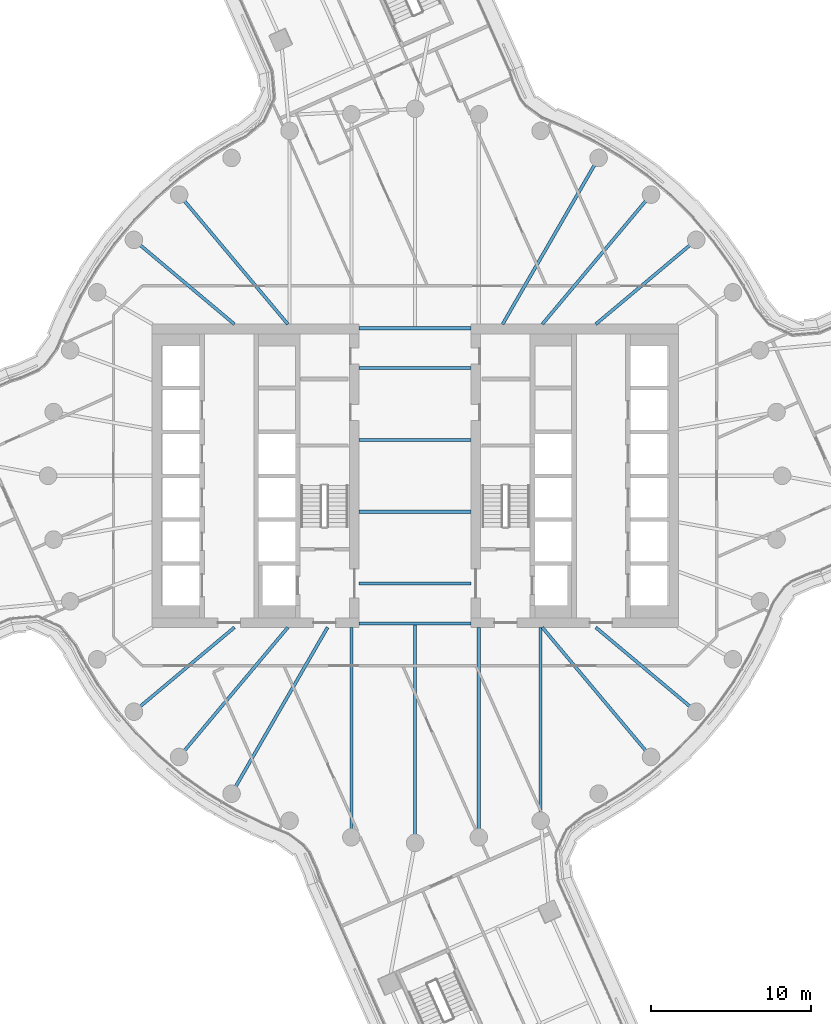
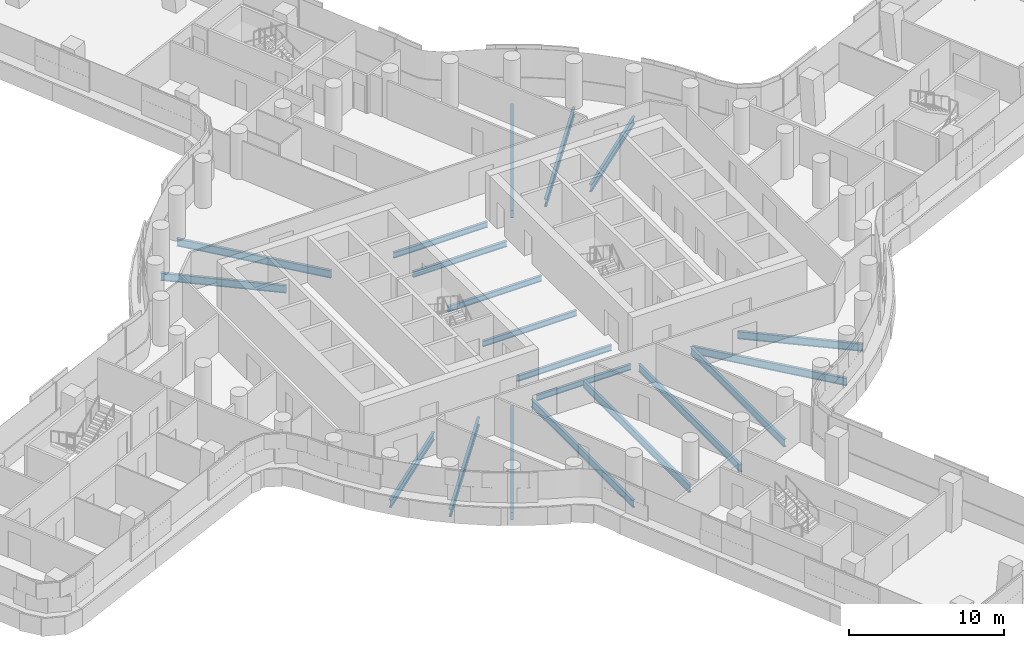
# One storey, part 8 of 35: 20 beams.
"""IFC4 building model written with IfcOpenShell, lengths in metres."""

from ifc_helpers import new_model, si_unit, direction, frame, origin, origin_2d, place, context, subcontext, project, spatial, i_section, extrude, material, material_profile, profile_set, type_object, element, save


model = new_model("IFC4")

# Units and contexts
model_context = context("Model", 3, precision=1e-05, world=origin(), true_north=direction((0.0, 1.0)))
body_context = subcontext(model_context, "Body", "Model", "MODEL_VIEW")
ifc_project = project(units=[si_unit("LENGTHUNIT", "METRE"), si_unit("AREAUNIT", "SQUARE_METRE"), si_unit("VOLUMEUNIT", "CUBIC_METRE"), si_unit("PLANEANGLEUNIT", "RADIAN"), si_unit("MASSUNIT", "GRAM", prefix="KILO")], contexts=[model_context])

# Site, building, storey
site_placement = place(None, origin())
site = spatial("IfcSite", under=ifc_project, at=site_placement, CompositionType="ELEMENT")
building_placement = place(site_placement, origin())
building = spatial("IfcBuilding", under=site, at=building_placement, Name="Tamarind Cross Interchange Tower", CompositionType="ELEMENT")
storey_placement = place(building_placement, frame((0.0, 0.0, 121.0)))
storey = spatial("IfcBuildingStorey", under=building, at=storey_placement, Name="L29", CompositionType="ELEMENT", Elevation=121.0)

# Beams
ifc_material = material(Name="Steel Q355B", Category="steel")
ifc_material_profile_1 = material_profile(ifc_material, i_section(OverallWidth=0.198974609375, OverallDepth=0.446044921875, WebThickness=0.008056640625, FlangeThickness=0.011962890625, FilletRadius=0.012939453125, at=origin_2d()), Name="HN 446x199x8x12")
ifc_profile_set_1 = profile_set([ifc_material_profile_1], Name="Steel Q355B")
beam_type_1 = type_object("IfcBeamType", Name="Composite beam HN 446x199x8x12 Q355B", PredefinedType="BEAM", material=ifc_profile_set_1)
for number, where, z_axis, x_axis, name in (
    (1, (-3.5, -2.25, -0.363037109375), (1.0, 0.0, 0.0), (0.0, 1.0, 0.0), "Beam G-2.25"),
    (2, (-3.5, -6.75, -0.363037109375), (1.0, 0.0, 0.0), (0.0, 1.0, 0.0), "Beam G-6.75"),
    (3, (-3.5, -9.25, -0.363037109375), (1.0, 0.0, 0.0), (0.0, 1.0, 0.0), "Beam G-9.25"),
    (4, (-3.5, 2.25, -0.363037109375), (1.0, 0.0, 0.0), (0.0, 1.0, 0.0), "Beam G2.25"),
    (5, (-3.5, 6.75, -0.363037109375), (1.0, 0.0, 0.0), (0.0, 1.0, 0.0), "Beam G6.75"),
    (6, (-3.5, 9.25, -0.363037109375), (1.0, 0.0, 0.0), (0.0, 1.0, 0.0), "Beam G9.25"),
):
    element("IfcBeam", number, at=place(storey_placement, frame(where, z_axis=z_axis, x_axis=x_axis)), inside=storey, type_object=beam_type_1, Name=name, PredefinedType="BEAM", context=body_context, shape_type="SweptSolid", body=[
        extrude(i_section(OverallWidth=0.198974609375, OverallDepth=0.446044921875, WebThickness=0.008056640625, FlangeThickness=0.011962890625, FilletRadius=0.012939453125, at=origin_2d()), origin(), (0.0, 0.0, 1.0), 7.0),
    ])
ifc_material_profile_2 = material_profile(ifc_material, i_section(OverallWidth=0.198974609375, OverallDepth=0.595947265625, WebThickness=0.010009765625, FlangeThickness=0.014892578125, FilletRadius=0.012939453125, at=origin_2d()), Name="HN 596x199x10x15")
ifc_profile_set_2 = profile_set([ifc_material_profile_2], Name="Steel Q355B")
beam_type_2 = type_object("IfcBeamType", Name="Composite beam HN 596x199x10x15 Q355B", PredefinedType="BEAM", material=ifc_profile_set_2)
beam_1_placement = place(storey_placement, frame((17.619140625, 14.7841796875, -0.43798828125), z_axis=(-0.766040580814, -0.642792212574, 0.0), x_axis=(0.642792212574, -0.766040580814, 0.0)))
element("IfcBeam", 7, at=beam_1_placement, inside=storey, type_object=beam_type_2, Name="Beam HH04", PredefinedType="BEAM", context=body_context, shape_type="SweptSolid", body=[
    extrude(i_section(OverallWidth=0.198974609375, OverallDepth=0.595947265625, WebThickness=0.010009765625, FlangeThickness=0.014892578125, FilletRadius=0.012939453125, at=origin_2d()), origin(), (0.0, 0.0, 1.0), 8.220703125),
])
beam_2_placement = place(storey_placement, frame((14.7841796875, 17.619140625, -0.43798828125), z_axis=(-0.642786293979, -0.766045547127, 0.0), x_axis=(0.766045547127, -0.642786293979, 0.0)))
element("IfcBeam", 8, at=beam_2_placement, inside=storey, type_object=beam_type_2, Name="Beam HH05", PredefinedType="BEAM", context=body_context, shape_type="SweptSolid", body=[
    extrude(i_section(OverallWidth=0.198974609375, OverallDepth=0.595947265625, WebThickness=0.010009765625, FlangeThickness=0.014892578125, FilletRadius=0.012939453125, at=origin_2d()), origin(), (0.0, 0.0, 1.0), 10.598876953125),
])
beam_3_placement = place(storey_placement, frame((11.5, 19.918701171875, -0.43798828125), z_axis=(-0.499993565836, -0.866029118519, 0.0), x_axis=(0.866029118519, -0.499993565836, 0.0)))
element("IfcBeam", 9, at=beam_3_placement, inside=storey, type_object=beam_type_2, Name="Beam HH06", PredefinedType="BEAM", context=body_context, shape_type="SweptSolid", body=[
    extrude(i_section(OverallWidth=0.198974609375, OverallDepth=0.595947265625, WebThickness=0.010009765625, FlangeThickness=0.014892578125, FilletRadius=0.012939453125, at=origin_2d()), origin(), (0.0, 0.0, 1.0), 12.030517578125),
])
beam_4_placement = place(storey_placement, frame((-14.7841796875, 17.619140625, -0.43798828125), z_axis=(0.642786293979, -0.766045547127, 0.0), x_axis=(0.766045547127, 0.642786293979, 0.0)))
element("IfcBeam", 10, at=beam_4_placement, inside=storey, type_object=beam_type_2, Name="Beam HH13", PredefinedType="BEAM", context=body_context, shape_type="SweptSolid", body=[
    extrude(i_section(OverallWidth=0.198974609375, OverallDepth=0.595947265625, WebThickness=0.010009765625, FlangeThickness=0.014892578125, FilletRadius=0.012939453125, at=origin_2d()), origin(), (0.0, 0.0, 1.0), 10.598876953125),
])
for number, where, z_axis, x_axis, name in (
    (11, (-17.619140625, 14.7841796875, -0.43798828125), (0.766040580814, -0.642792212574, 0.0), (0.642792212574, 0.766040580814, 0.0), "Beam HH14"),
    (12, (-17.619140625, -14.7841796875, -0.43798828125), (0.766040580814, 0.642792212574, 0.0), (-0.642792212574, 0.766040580814, 0.0), "Beam HH22"),
):
    element("IfcBeam", number, at=place(storey_placement, frame(where, z_axis=z_axis, x_axis=x_axis)), inside=storey, type_object=beam_type_2, Name=name, PredefinedType="BEAM", context=body_context, shape_type="SweptSolid", body=[
        extrude(i_section(OverallWidth=0.198974609375, OverallDepth=0.595947265625, WebThickness=0.010009765625, FlangeThickness=0.014892578125, FilletRadius=0.012939453125, at=origin_2d()), origin(), (0.0, 0.0, 1.0), 8.220703125),
    ])
beam_5_placement = place(storey_placement, frame((-14.7841796875, -17.619140625, -0.43798828125), z_axis=(0.642786293979, 0.766045547127, 0.0), x_axis=(-0.766045547127, 0.642786293979, 0.0)))
element("IfcBeam", 13, at=beam_5_placement, inside=storey, type_object=beam_type_2, Name="Beam HH23", PredefinedType="BEAM", context=body_context, shape_type="SweptSolid", body=[
    extrude(i_section(OverallWidth=0.198974609375, OverallDepth=0.595947265625, WebThickness=0.010009765625, FlangeThickness=0.014892578125, FilletRadius=0.012939453125, at=origin_2d()), origin(), (0.0, 0.0, 1.0), 10.598876953125),
])
beam_6_placement = place(storey_placement, frame((-11.5, -19.918701171875, -0.43798828125), z_axis=(0.499993565836, 0.866029118519, 0.0), x_axis=(-0.866029118519, 0.499993565836, 0.0)))
element("IfcBeam", 14, at=beam_6_placement, inside=storey, type_object=beam_type_2, Name="Beam HH24", PredefinedType="BEAM", context=body_context, shape_type="SweptSolid", body=[
    extrude(i_section(OverallWidth=0.198974609375, OverallDepth=0.595947265625, WebThickness=0.010009765625, FlangeThickness=0.014892578125, FilletRadius=0.012939453125, at=origin_2d()), origin(), (0.0, 0.0, 1.0), 12.030517578125),
])
beam_7_placement = place(storey_placement, frame((-3.993896484375, -22.650634765625, -0.43798828125), z_axis=(0.0, 1.0, 0.0), x_axis=(-1.0, 0.0, 0.0)))
element("IfcBeam", 15, at=beam_7_placement, inside=storey, type_object=beam_type_2, Name="Beam HH26", PredefinedType="BEAM", context=body_context, shape_type="SweptSolid", body=[
    extrude(i_section(OverallWidth=0.198974609375, OverallDepth=0.595947265625, WebThickness=0.010009765625, FlangeThickness=0.014892578125, FilletRadius=0.012939453125, at=origin_2d()), origin(), (0.0, 0.0, 1.0), 13.150634765625),
])
beam_8_placement = place(storey_placement, frame((0.0, -23.0, -0.43798828125), z_axis=(0.0, 1.0, 0.0), x_axis=(-1.0, 0.0, 0.0)))
element("IfcBeam", 16, at=beam_8_placement, inside=storey, type_object=beam_type_2, Name="Beam HH27", PredefinedType="BEAM", context=body_context, shape_type="SweptSolid", body=[
    extrude(i_section(OverallWidth=0.198974609375, OverallDepth=0.595947265625, WebThickness=0.010009765625, FlangeThickness=0.014892578125, FilletRadius=0.012939453125, at=origin_2d()), origin(), (0.0, 0.0, 1.0), 13.75),
])
beam_9_placement = place(storey_placement, frame((3.993896484375, -22.650634765625, -0.43798828125), z_axis=(0.0, 1.0, 0.0), x_axis=(-1.0, 0.0, 0.0)))
element("IfcBeam", 17, at=beam_9_placement, inside=storey, type_object=beam_type_2, Name="Beam HH28", PredefinedType="BEAM", context=body_context, shape_type="SweptSolid", body=[
    extrude(i_section(OverallWidth=0.198974609375, OverallDepth=0.595947265625, WebThickness=0.010009765625, FlangeThickness=0.014892578125, FilletRadius=0.012939453125, at=origin_2d()), origin(), (0.0, 0.0, 1.0), 13.150634765625),
])
beam_10_placement = place(storey_placement, frame((7.866455078125, -21.613037109375, -0.43798828125), z_axis=(0.0, 1.0, 0.0), x_axis=(-1.0, 0.0, 0.0)))
element("IfcBeam", 18, at=beam_10_placement, inside=storey, type_object=beam_type_2, Name="Beam HH29", PredefinedType="BEAM", context=body_context, shape_type="SweptSolid", body=[
    extrude(i_section(OverallWidth=0.198974609375, OverallDepth=0.595947265625, WebThickness=0.010009765625, FlangeThickness=0.014892578125, FilletRadius=0.012939453125, at=origin_2d()), origin(), (0.0, 0.0, 1.0), 12.113037109375),
])
beam_11_placement = place(storey_placement, frame((14.7841796875, -17.619140625, -0.43798828125), z_axis=(-0.642786293979, 0.766045547127, 0.0), x_axis=(-0.766045547127, -0.642786293979, 0.0)))
element("IfcBeam", 19, at=beam_11_placement, inside=storey, type_object=beam_type_2, Name="Beam HH31", PredefinedType="BEAM", context=body_context, shape_type="SweptSolid", body=[
    extrude(i_section(OverallWidth=0.198974609375, OverallDepth=0.595947265625, WebThickness=0.010009765625, FlangeThickness=0.014892578125, FilletRadius=0.012939453125, at=origin_2d()), origin(), (0.0, 0.0, 1.0), 10.598876953125),
])
beam_12_placement = place(storey_placement, frame((17.619140625, -14.7841796875, -0.43798828125), z_axis=(-0.766040580814, 0.642792212574, 0.0), x_axis=(-0.642792212574, -0.766040580814, 0.0)))
element("IfcBeam", 20, at=beam_12_placement, inside=storey, type_object=beam_type_2, Name="Beam HH32", PredefinedType="BEAM", context=body_context, shape_type="SweptSolid", body=[
    extrude(i_section(OverallWidth=0.198974609375, OverallDepth=0.595947265625, WebThickness=0.010009765625, FlangeThickness=0.014892578125, FilletRadius=0.012939453125, at=origin_2d()), origin(), (0.0, 0.0, 1.0), 8.220703125),
])

save(model, "model.ifc")
